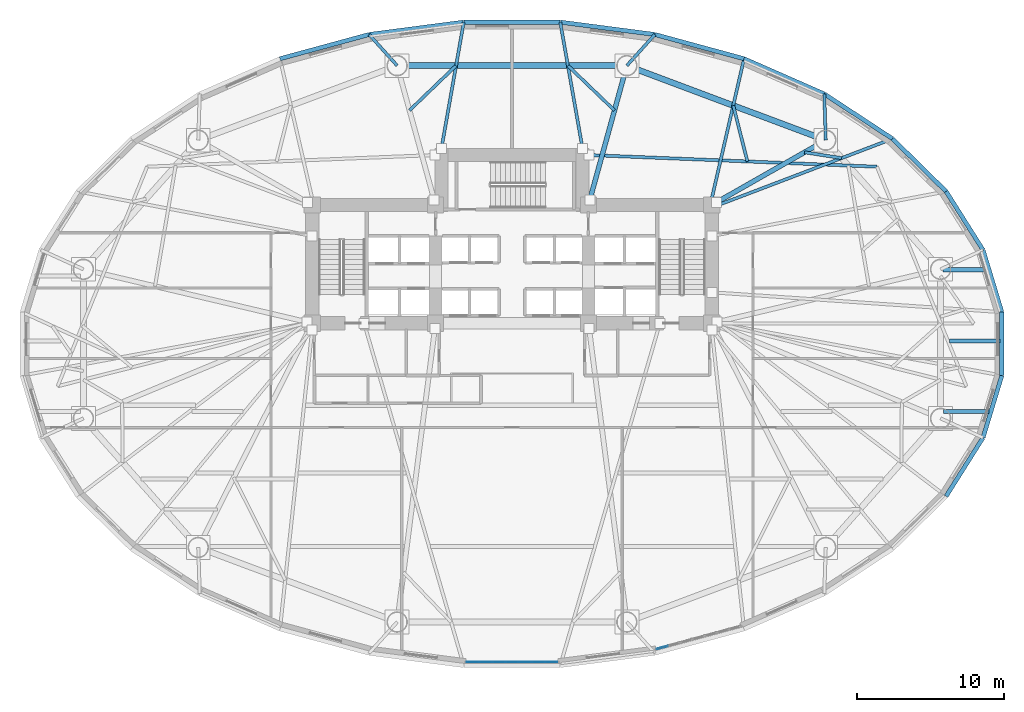
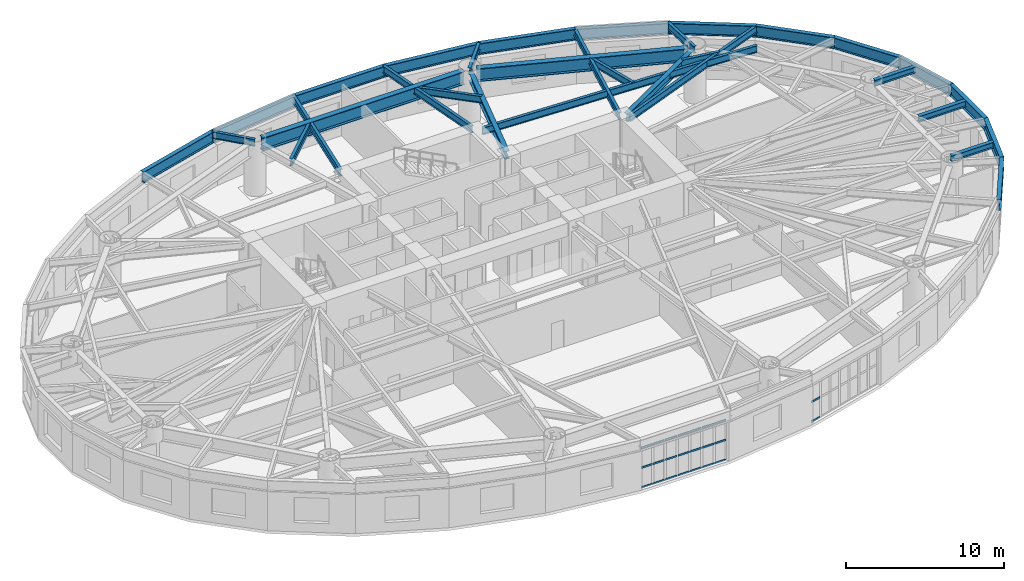
# One storey, part 6 of 18: 32 beams, 23 members, 2 elements without a shape of their own.
"""IFC4 building model written with IfcOpenShell, lengths in metres."""

from ifc_helpers import new_model, si_unit, direction, frame, origin, origin_2d, place, context, subcontext, project, spatial, rectangle, i_section, extrude, material, layer, layer_set, material_profile, profile_set, type_object, element, aggregate, save


model = new_model("IFC4")

# Units and contexts
model_context = context("Model", 3, precision=1e-05, world=origin(), true_north=direction((0.0, 1.0)))
body_context = subcontext(model_context, "Body", "Model", "MODEL_VIEW")
ifc_project = project(units=[si_unit("LENGTHUNIT", "METRE"), si_unit("AREAUNIT", "SQUARE_METRE"), si_unit("VOLUMEUNIT", "CUBIC_METRE"), si_unit("PLANEANGLEUNIT", "RADIAN"), si_unit("MASSUNIT", "GRAM", prefix="KILO")], contexts=[model_context])

# Site, building, storey
site_placement = place(None, origin())
site = spatial("IfcSite", under=ifc_project, at=site_placement, CompositionType="ELEMENT")
building_placement = place(site_placement, origin())
building = spatial("IfcBuilding", under=site, at=building_placement, Name="Keldmark Tower", CompositionType="ELEMENT")
storey_placement = place(building_placement, frame((0.0, 0.0, 6.0)))
storey = spatial("IfcBuildingStorey", under=building, at=storey_placement, Name="L01", CompositionType="ELEMENT", Elevation=6.0)

# Beams
ifc_material_1 = material(Name="Steel ASTM A992 Grade 50", Category="steel")
ifc_material_profile_1 = material_profile(ifc_material_1, i_section(OverallWidth=0.280029296875, OverallDepth=0.462890625, WebThickness=0.0107421875, FlangeThickness=0.017333984375, at=origin_2d()), Name="W18X76")
ifc_profile_set_1 = profile_set([ifc_material_profile_1], Name="Steel ASTM A992 Grade 50")
beam_type_1 = type_object("IfcBeamType", Name="Composite Floor Joist W18X76", PredefinedType="JOIST", material=ifc_profile_set_1)
beam_1_placement = place(storey_placement, frame((29.363037109375, -4.60009765625, 3.74853515625), z_axis=(1.0, 0.0, 0.0), x_axis=(0.0, 1.0, 0.0)))
element("IfcBeam", 1, at=beam_1_placement, inside=storey, type_object=beam_type_1, Name="L01 Composite Floor Joist J22", PredefinedType="JOIST", context=body_context, shape_type="SweptSolid", body=[
    extrude(i_section(OverallWidth=0.280029296875, OverallDepth=0.462890625, WebThickness=0.0107421875, FlangeThickness=0.017333984375, at=origin_2d()), origin(), (0.0, 0.0, 1.0), 3.092041015625),
])
beam_2_placement = place(storey_placement, frame((29.77001953125, 0.199951171875, 3.74853515625), z_axis=(1.0, 0.0, 0.0), x_axis=(0.0, 1.0, 0.0)))
element("IfcBeam", 2, at=beam_2_placement, inside=storey, type_object=beam_type_1, Name="L01 Composite Floor Joist J24", PredefinedType="JOIST", context=body_context, shape_type="SweptSolid", body=[
    extrude(i_section(OverallWidth=0.280029296875, OverallDepth=0.462890625, WebThickness=0.0107421875, FlangeThickness=0.017333984375, at=origin_2d()), origin(), (0.0, 0.0, 1.0), 3.431640625),
])
beam_3_placement = place(storey_placement, frame((29.337646484375, 5.0400390625, 3.74853515625), z_axis=(1.0, 0.0, 0.0), x_axis=(0.0, 1.0, 0.0)))
element("IfcBeam", 3, at=beam_3_placement, inside=storey, type_object=beam_type_1, Name="L01 Composite Floor Joist J26", PredefinedType="JOIST", context=body_context, shape_type="SweptSolid", body=[
    extrude(i_section(OverallWidth=0.280029296875, OverallDepth=0.462890625, WebThickness=0.0107421875, FlangeThickness=0.017333984375, at=origin_2d()), origin(), (0.0, 0.0, 1.0), 2.984375),
])

# Curtain wall, members
ifc_material_2 = material(Name="Unitized Thermally Broken Aluminum and Triple Low-E Glazing", Category="aluminium")
ifc_layer = layer(ifc_material_2, 0.219970703125)
ifc_layer_set = layer_set([ifc_layer], Name="Unitized Thermally Broken Aluminum and Triple Low-E Glazing")
curtain_wall_type = type_object("IfcCurtainWallType", Name="Podium Wintergarden Curtain Wall System", PredefinedType="NOTDEFINED", material=ifc_layer_set)
curtain_wall_1_placement = place(storey_placement, origin())
curtain_wall_1 = element("IfcCurtainWall", 4, at=curtain_wall_1_placement, inside=storey, type_object=curtain_wall_type, Name="L01 Podium Wintergarden Curtain Wall System CW-L01-24", PredefinedType="NOTDEFINED")
ifc_material_3 = material(Name="Extruded Aluminum Alloy 6063-T6", Category="aluminium")
ifc_material_profile_2 = material_profile(ifc_material_3, rectangle(XDim=0.06005859375, YDim=0.139892578125, at=origin_2d()), Name="CWT60X140")
ifc_profile_set_2 = profile_set([ifc_material_profile_2], Name="Extruded Aluminum Alloy 6063-T6")
member_type = type_object("IfcMemberType", Name="Curtain Wall Horizontal Transom 60x140", PredefinedType="USERDEFINED", material=ifc_profile_set_2)
member_1_placement = place(storey_placement, frame((3.08349609375, -21.654052734375, 0.030029296875), z_axis=(-1.0, 0.0, 0.0), x_axis=(0.0, -1.0, 0.0)))
member_1 = element("IfcMember", 5, at=member_1_placement, type_object=member_type, Name="CW transom 1.1", ObjectType="TRANSOM", PredefinedType="USERDEFINED", context=body_context, shape_type="SweptSolid", body=[
    extrude(rectangle(XDim=0.06005859375, YDim=0.139892578125, at=origin_2d()), origin(), (0.0, 0.0, 1.0), 0.80810546875),
])
member_2_placement = place(storey_placement, frame((3.08349609375, -21.654052734375, 1.554443359375), z_axis=(-1.0, 0.0, 0.0), x_axis=(0.0, -1.0, 0.0)))
member_2 = element("IfcMember", 6, at=member_2_placement, type_object=member_type, Name="CW transom 1.2", ObjectType="TRANSOM", PredefinedType="USERDEFINED", context=body_context, shape_type="SweptSolid", body=[
    extrude(rectangle(XDim=0.06005859375, YDim=0.139892578125, at=origin_2d()), origin(), (0.0, 0.0, 1.0), 0.80810546875),
])
member_3_placement = place(storey_placement, frame((3.08349609375, -21.654052734375, 3.0791015625), z_axis=(-1.0, 0.0, 0.0), x_axis=(0.0, -1.0, 0.0)))
member_3 = element("IfcMember", 7, at=member_3_placement, type_object=member_type, Name="CW transom 1.3", ObjectType="TRANSOM", PredefinedType="USERDEFINED", context=body_context, shape_type="SweptSolid", body=[
    extrude(rectangle(XDim=0.06005859375, YDim=0.139892578125, at=origin_2d()), origin(), (0.0, 0.0, 1.0), 0.80810546875),
])
member_4_placement = place(storey_placement, frame((2.21533203125, -21.654052734375, 0.030029296875), z_axis=(-1.0, 0.0, 0.0), x_axis=(0.0, -1.0, 0.0)))
member_4 = element("IfcMember", 8, at=member_4_placement, type_object=member_type, Name="CW transom 2.1", ObjectType="TRANSOM", PredefinedType="USERDEFINED", context=body_context, shape_type="SweptSolid", body=[
    extrude(rectangle(XDim=0.06005859375, YDim=0.139892578125, at=origin_2d()), origin(), (0.0, 0.0, 1.0), 0.838134765625),
])
member_5_placement = place(storey_placement, frame((2.21533203125, -21.654052734375, 1.554443359375), z_axis=(-1.0, 0.0, 0.0), x_axis=(0.0, -1.0, 0.0)))
member_5 = element("IfcMember", 9, at=member_5_placement, type_object=member_type, Name="CW transom 2.2", ObjectType="TRANSOM", PredefinedType="USERDEFINED", context=body_context, shape_type="SweptSolid", body=[
    extrude(rectangle(XDim=0.06005859375, YDim=0.139892578125, at=origin_2d()), origin(), (0.0, 0.0, 1.0), 0.838134765625),
])
member_6_placement = place(storey_placement, frame((2.21533203125, -21.654052734375, 3.0791015625), z_axis=(-1.0, 0.0, 0.0), x_axis=(0.0, -1.0, 0.0)))
member_6 = element("IfcMember", 10, at=member_6_placement, type_object=member_type, Name="CW transom 2.3", ObjectType="TRANSOM", PredefinedType="USERDEFINED", context=body_context, shape_type="SweptSolid", body=[
    extrude(rectangle(XDim=0.06005859375, YDim=0.139892578125, at=origin_2d()), origin(), (0.0, 0.0, 1.0), 0.838134765625),
])
member_7_placement = place(storey_placement, frame((1.317138671875, -21.654052734375, 0.030029296875), z_axis=(-1.0, 0.0, 0.0), x_axis=(0.0, -1.0, 0.0)))
member_7 = element("IfcMember", 11, at=member_7_placement, type_object=member_type, Name="CW transom 3.1", ObjectType="TRANSOM", PredefinedType="USERDEFINED", context=body_context, shape_type="SweptSolid", body=[
    extrude(rectangle(XDim=0.06005859375, YDim=0.139892578125, at=origin_2d()), origin(), (0.0, 0.0, 1.0), 0.838134765625),
])
member_8_placement = place(storey_placement, frame((1.317138671875, -21.654052734375, 1.554443359375), z_axis=(-1.0, 0.0, 0.0), x_axis=(0.0, -1.0, 0.0)))
member_8 = element("IfcMember", 12, at=member_8_placement, type_object=member_type, Name="CW transom 3.2", ObjectType="TRANSOM", PredefinedType="USERDEFINED", context=body_context, shape_type="SweptSolid", body=[
    extrude(rectangle(XDim=0.06005859375, YDim=0.139892578125, at=origin_2d()), origin(), (0.0, 0.0, 1.0), 0.838134765625),
])
member_9_placement = place(storey_placement, frame((1.317138671875, -21.654052734375, 3.0791015625), z_axis=(-1.0, 0.0, 0.0), x_axis=(0.0, -1.0, 0.0)))
member_9 = element("IfcMember", 13, at=member_9_placement, type_object=member_type, Name="CW transom 3.3", ObjectType="TRANSOM", PredefinedType="USERDEFINED", context=body_context, shape_type="SweptSolid", body=[
    extrude(rectangle(XDim=0.06005859375, YDim=0.139892578125, at=origin_2d()), origin(), (0.0, 0.0, 1.0), 0.838134765625),
])
member_10_placement = place(storey_placement, frame((0.419189453125, -21.654052734375, 0.030029296875), z_axis=(-1.0, 0.0, 0.0), x_axis=(0.0, -1.0, 0.0)))
member_10 = element("IfcMember", 14, at=member_10_placement, type_object=member_type, Name="CW transom 4.1", ObjectType="TRANSOM", PredefinedType="USERDEFINED", context=body_context, shape_type="SweptSolid", body=[
    extrude(rectangle(XDim=0.06005859375, YDim=0.139892578125, at=origin_2d()), origin(), (0.0, 0.0, 1.0), 0.83837890625),
])
member_11_placement = place(storey_placement, frame((0.419189453125, -21.654052734375, 1.554443359375), z_axis=(-1.0, 0.0, 0.0), x_axis=(0.0, -1.0, 0.0)))
member_11 = element("IfcMember", 15, at=member_11_placement, type_object=member_type, Name="CW transom 4.2", ObjectType="TRANSOM", PredefinedType="USERDEFINED", context=body_context, shape_type="SweptSolid", body=[
    extrude(rectangle(XDim=0.06005859375, YDim=0.139892578125, at=origin_2d()), origin(), (0.0, 0.0, 1.0), 0.83837890625),
])
member_12_placement = place(storey_placement, frame((0.419189453125, -21.654052734375, 3.0791015625), z_axis=(-1.0, 0.0, 0.0), x_axis=(0.0, -1.0, 0.0)))
member_12 = element("IfcMember", 16, at=member_12_placement, type_object=member_type, Name="CW transom 4.3", ObjectType="TRANSOM", PredefinedType="USERDEFINED", context=body_context, shape_type="SweptSolid", body=[
    extrude(rectangle(XDim=0.06005859375, YDim=0.139892578125, at=origin_2d()), origin(), (0.0, 0.0, 1.0), 0.83837890625),
])
member_13_placement = place(storey_placement, frame((-0.47900390625, -21.654052734375, 0.030029296875), z_axis=(-1.0, 0.0, 0.0), x_axis=(0.0, -1.0, 0.0)))
member_13 = element("IfcMember", 17, at=member_13_placement, type_object=member_type, Name="CW transom 5.1", ObjectType="TRANSOM", PredefinedType="USERDEFINED", context=body_context, shape_type="SweptSolid", body=[
    extrude(rectangle(XDim=0.06005859375, YDim=0.139892578125, at=origin_2d()), origin(), (0.0, 0.0, 1.0), 0.838134765625),
])
member_14_placement = place(storey_placement, frame((-0.47900390625, -21.654052734375, 1.554443359375), z_axis=(-1.0, 0.0, 0.0), x_axis=(0.0, -1.0, 0.0)))
member_14 = element("IfcMember", 18, at=member_14_placement, type_object=member_type, Name="CW transom 5.2", ObjectType="TRANSOM", PredefinedType="USERDEFINED", context=body_context, shape_type="SweptSolid", body=[
    extrude(rectangle(XDim=0.06005859375, YDim=0.139892578125, at=origin_2d()), origin(), (0.0, 0.0, 1.0), 0.838134765625),
])
member_15_placement = place(storey_placement, frame((-0.47900390625, -21.654052734375, 3.0791015625), z_axis=(-1.0, 0.0, 0.0), x_axis=(0.0, -1.0, 0.0)))
member_15 = element("IfcMember", 19, at=member_15_placement, type_object=member_type, Name="CW transom 5.3", ObjectType="TRANSOM", PredefinedType="USERDEFINED", context=body_context, shape_type="SweptSolid", body=[
    extrude(rectangle(XDim=0.06005859375, YDim=0.139892578125, at=origin_2d()), origin(), (0.0, 0.0, 1.0), 0.838134765625),
])
member_16_placement = place(storey_placement, frame((-1.377197265625, -21.654052734375, 0.030029296875), z_axis=(-1.0, 0.0, 0.0), x_axis=(0.0, -1.0, 0.0)))
member_16 = element("IfcMember", 20, at=member_16_placement, type_object=member_type, Name="CW transom 6.1", ObjectType="TRANSOM", PredefinedType="USERDEFINED", context=body_context, shape_type="SweptSolid", body=[
    extrude(rectangle(XDim=0.06005859375, YDim=0.139892578125, at=origin_2d()), origin(), (0.0, 0.0, 1.0), 0.838134765625),
])
member_17_placement = place(storey_placement, frame((-1.377197265625, -21.654052734375, 1.554443359375), z_axis=(-1.0, 0.0, 0.0), x_axis=(0.0, -1.0, 0.0)))
member_17 = element("IfcMember", 21, at=member_17_placement, type_object=member_type, Name="CW transom 6.2", ObjectType="TRANSOM", PredefinedType="USERDEFINED", context=body_context, shape_type="SweptSolid", body=[
    extrude(rectangle(XDim=0.06005859375, YDim=0.139892578125, at=origin_2d()), origin(), (0.0, 0.0, 1.0), 0.838134765625),
])
member_18_placement = place(storey_placement, frame((-1.377197265625, -21.654052734375, 3.0791015625), z_axis=(-1.0, 0.0, 0.0), x_axis=(0.0, -1.0, 0.0)))
member_18 = element("IfcMember", 22, at=member_18_placement, type_object=member_type, Name="CW transom 6.3", ObjectType="TRANSOM", PredefinedType="USERDEFINED", context=body_context, shape_type="SweptSolid", body=[
    extrude(rectangle(XDim=0.06005859375, YDim=0.139892578125, at=origin_2d()), origin(), (0.0, 0.0, 1.0), 0.838134765625),
])
member_19_placement = place(storey_placement, frame((-2.275390625, -21.654052734375, 0.030029296875), z_axis=(-1.0, 0.0, 0.0), x_axis=(0.0, -1.0, 0.0)))
member_19 = element("IfcMember", 23, at=member_19_placement, type_object=member_type, Name="CW transom 7.1", ObjectType="TRANSOM", PredefinedType="USERDEFINED", context=body_context, shape_type="SweptSolid", body=[
    extrude(rectangle(XDim=0.06005859375, YDim=0.139892578125, at=origin_2d()), origin(), (0.0, 0.0, 1.0), 0.80810546875),
])
member_20_placement = place(storey_placement, frame((-2.275390625, -21.654052734375, 1.554443359375), z_axis=(-1.0, 0.0, 0.0), x_axis=(0.0, -1.0, 0.0)))
member_20 = element("IfcMember", 24, at=member_20_placement, type_object=member_type, Name="CW transom 7.2", ObjectType="TRANSOM", PredefinedType="USERDEFINED", context=body_context, shape_type="SweptSolid", body=[
    extrude(rectangle(XDim=0.06005859375, YDim=0.139892578125, at=origin_2d()), origin(), (0.0, 0.0, 1.0), 0.80810546875),
])
member_21_placement = place(storey_placement, frame((-2.275390625, -21.654052734375, 3.0791015625), z_axis=(-1.0, 0.0, 0.0), x_axis=(0.0, -1.0, 0.0)))
member_21 = element("IfcMember", 25, at=member_21_placement, type_object=member_type, Name="CW transom 7.3", ObjectType="TRANSOM", PredefinedType="USERDEFINED", context=body_context, shape_type="SweptSolid", body=[
    extrude(rectangle(XDim=0.06005859375, YDim=0.139892578125, at=origin_2d()), origin(), (0.0, 0.0, 1.0), 0.80810546875),
])
aggregate(curtain_wall_1, [member_1, member_2, member_3, member_4, member_5, member_6, member_7, member_8, member_9, member_10, member_11, member_12, member_13, member_14, member_15, member_16, member_17, member_18, member_19, member_20, member_21])

curtain_wall_2_placement = place(storey_placement, origin())
curtain_wall_2 = element("IfcCurtainWall", 26, at=curtain_wall_2_placement, inside=storey, type_object=curtain_wall_type, Name="L01 Podium Wintergarden Curtain Wall System CW-L01-26", PredefinedType="NOTDEFINED")
member_22_placement = place(storey_placement, frame((10.595703125, -20.56689453125, 0.030029296875), z_axis=(-0.964924998517, -0.262525707765, 0.0), x_axis=(0.262525707765, -0.964924998517, 0.0)))
member_22 = element("IfcMember", 27, at=member_22_placement, type_object=member_type, Name="CW transom 7.1", ObjectType="TRANSOM", PredefinedType="USERDEFINED", context=body_context, shape_type="SweptSolid", body=[
    extrude(rectangle(XDim=0.06005859375, YDim=0.139892578125, at=origin_2d()), origin(), (0.0, 0.0, 1.0), 0.76806640625),
])
member_23_placement = place(storey_placement, frame((10.595703125, -20.56689453125, 1.554443359375), z_axis=(-0.964924998517, -0.262525707765, 0.0), x_axis=(0.262525707765, -0.964924998517, 0.0)))
member_23 = element("IfcMember", 28, at=member_23_placement, type_object=member_type, Name="CW transom 7.2", ObjectType="TRANSOM", PredefinedType="USERDEFINED", context=body_context, shape_type="SweptSolid", body=[
    extrude(rectangle(XDim=0.06005859375, YDim=0.139892578125, at=origin_2d()), origin(), (0.0, 0.0, 1.0), 0.76806640625),
])
aggregate(curtain_wall_2, [member_22, member_23])

# Beams
ifc_material_4 = material(Name="Steel ASTM A992 Grade 50", Category="steel")
ifc_material_profile_3 = material_profile(ifc_material_4, i_section(OverallWidth=0.402099609375, OverallDepth=1.011962890625, WebThickness=0.023681640625, FlangeThickness=0.0419921875, at=origin_2d()), Name="W40X297")
ifc_profile_set_3 = profile_set([ifc_material_profile_3], Name="Steel ASTM A992 Grade 50")
beam_type_2 = type_object("IfcBeamType", Name="Podium Primary Girder W40X297", PredefinedType="BEAM", material=ifc_profile_set_3)
beam_4_placement = place(storey_placement, frame((20.93310546875, 14.01708984375, 3.47412109375), z_axis=(-0.936417954382, 0.350886612329, 0.0), x_axis=(-0.350886612329, -0.936417954382, 0.0)))
element("IfcBeam", 29, at=beam_4_placement, inside=storey, type_object=beam_type_2, Name="L01 Podium Ring Girder PG-R02", PredefinedType="BEAM", context=body_context, shape_type="SweptSolid", body=[
    extrude(i_section(OverallWidth=0.402099609375, OverallDepth=1.011962890625, WebThickness=0.023681640625, FlangeThickness=0.0419921875, at=origin_2d()), origin(), (0.0, 0.0, 1.0), 13.557373046875),
])
beam_5_placement = place(storey_placement, frame((7.3662109375, 18.93212890625, 3.47412109375), z_axis=(-1.0, 0.0, 0.0), x_axis=(0.0, -1.0, 0.0)))
element("IfcBeam", 30, at=beam_5_placement, inside=storey, type_object=beam_type_2, Name="L01 Podium Ring Girder PG-R03", PredefinedType="BEAM", context=body_context, shape_type="SweptSolid", body=[
    extrude(i_section(OverallWidth=0.402099609375, OverallDepth=1.011962890625, WebThickness=0.023681640625, FlangeThickness=0.0419921875, at=origin_2d()), origin(), (0.0, 0.0, 1.0), 14.732421875),
])
ifc_material_5 = material(Name="Steel ASTM A992 Grade 50", Category="steel")
ifc_material_profile_4 = material_profile(ifc_material_5, i_section(OverallWidth=0.2099609375, OverallDepth=0.537109375, WebThickness=0.010986328125, FlangeThickness=0.017333984375, at=origin_2d()), Name="W21X68")
ifc_profile_set_4 = profile_set([ifc_material_profile_4], Name="Steel ASTM A992 Grade 50")
beam_type_3 = type_object("IfcBeamType", Name="Radial Tie Girder W21X68", PredefinedType="BEAM", material=ifc_profile_set_4)
beam_6_placement = place(storey_placement, frame((5.25, 12.85009765625, 3.71142578125), z_axis=(0.999176318744, -0.040579355112, 0.0), x_axis=(0.040579355112, 0.999176318744, 0.0)))
element("IfcBeam", 31, at=beam_6_placement, inside=storey, type_object=beam_type_3, Name="L01 Sub-Ring Step Girder STP1-M01", PredefinedType="BEAM", context=body_context, shape_type="SweptSolid", body=[
    extrude(i_section(OverallWidth=0.2099609375, OverallDepth=0.537109375, WebThickness=0.010986328125, FlangeThickness=0.017333984375, at=origin_2d()), origin(), (0.0, 0.0, 1.0), 19.601318359375),
])
beam_7_placement = place(storey_placement, frame((19.904541015625, 13.034912109375, 3.71142578125), z_axis=(0.988136063904, -0.153580985843, 0.0), x_axis=(0.153580985843, 0.988136063904, 0.0)))
element("IfcBeam", 32, at=beam_7_placement, inside=storey, type_object=beam_type_3, Name="L01 Framing Pin Header PH-010", PredefinedType="BEAM", context=body_context, shape_type="SweptSolid", body=[
    extrude(i_section(OverallWidth=0.2099609375, OverallDepth=0.537109375, WebThickness=0.010986328125, FlangeThickness=0.017333984375, at=origin_2d()), origin(), (0.0, 0.0, 1.0), 2.564208984375),
])
beam_8_placement = place(storey_placement, frame((14.050048828125, 9.449951171875, 3.71142578125), z_axis=(0.934642662924, 0.355588375293, 0.0), x_axis=(-0.355588375293, 0.934642662924, 0.0)))
element("IfcBeam", 33, at=beam_8_placement, inside=storey, type_object=beam_type_3, Name="L01 Perimeter Radial Tie Girder RT-04", PredefinedType="BEAM", context=body_context, shape_type="SweptSolid", body=[
    extrude(i_section(OverallWidth=0.2099609375, OverallDepth=0.537109375, WebThickness=0.010986328125, FlangeThickness=0.017333984375, at=origin_2d()), origin(), (0.0, 0.0, 1.0), 12.67431640625),
])
beam_9_placement = place(storey_placement, frame((21.3544921875, 13.859375, 3.71142578125), z_axis=(-0.032491176768, 0.999472022336, 0.0), x_axis=(-0.999472022336, -0.032491176768, 0.0)))
element("IfcBeam", 34, at=beam_9_placement, inside=storey, type_object=beam_type_3, Name="L01 Perimeter Column Bracket RT-05", PredefinedType="BEAM", context=body_context, shape_type="SweptSolid", body=[
    extrude(i_section(OverallWidth=0.2099609375, OverallDepth=0.537109375, WebThickness=0.010986328125, FlangeThickness=0.017333984375, at=origin_2d()), origin(), (0.0, 0.0, 1.0), 3.1484375),
])
beam_10_placement = place(storey_placement, frame((16.02197265625, 12.41259765625, 3.71142578125), z_axis=(-0.245606779521, 0.969369542462, 0.0), x_axis=(-0.969369542462, -0.245606779521, 0.0)))
element("IfcBeam", 35, at=beam_10_placement, inside=storey, type_object=beam_type_3, Name="L01 Framing Pin Header PH-011", PredefinedType="BEAM", context=body_context, shape_type="SweptSolid", body=[
    extrude(i_section(OverallWidth=0.2099609375, OverallDepth=0.537109375, WebThickness=0.010986328125, FlangeThickness=0.017333984375, at=origin_2d()), origin(), (0.0, 0.0, 1.0), 3.926513671875),
])
beam_11_placement = place(storey_placement, frame((13.60009765625, 9.89990234375, 3.71142578125), z_axis=(0.224740658325, 0.974418614608, 0.0), x_axis=(-0.974418614608, 0.224740658325, 0.0)))
element("IfcBeam", 36, at=beam_11_placement, inside=storey, type_object=beam_type_3, Name="L01 Perimeter Radial Tie Girder RT-06", PredefinedType="BEAM", context=body_context, shape_type="SweptSolid", body=[
    extrude(i_section(OverallWidth=0.2099609375, OverallDepth=0.537109375, WebThickness=0.010986328125, FlangeThickness=0.017333984375, at=origin_2d()), origin(), (0.0, 0.0, 1.0), 9.751953125),
])
beam_12_placement = place(storey_placement, frame((7.81640625, 18.93212890625, 3.71142578125), z_axis=(0.668898533975, 0.743353718795, 0.0), x_axis=(-0.743353718795, 0.668898533975, 0.0)))
element("IfcBeam", 37, at=beam_12_placement, inside=storey, type_object=beam_type_3, Name="L01 Perimeter Column Bracket RT-07", PredefinedType="BEAM", context=body_context, shape_type="SweptSolid", body=[
    extrude(i_section(OverallWidth=0.2099609375, OverallDepth=0.537109375, WebThickness=0.010986328125, FlangeThickness=0.017333984375, at=origin_2d()), origin(), (0.0, 0.0, 1.0), 2.852783203125),
])
beam_13_placement = place(storey_placement, frame((6.9755859375, 15.885009765625, 3.71142578125), z_axis=(-0.720880013375, 0.69305988653, 0.0), x_axis=(-0.69305988653, -0.720880013375, 0.0)))
element("IfcBeam", 38, at=beam_13_placement, inside=storey, type_object=beam_type_3, Name="L01 Framing Pin Header PH-012", PredefinedType="BEAM", context=body_context, shape_type="SweptSolid", body=[
    extrude(i_section(OverallWidth=0.2099609375, OverallDepth=0.537109375, WebThickness=0.010986328125, FlangeThickness=0.017333984375, at=origin_2d()), origin(), (0.0, 0.0, 1.0), 4.396728515625),
])
beam_14_placement = place(storey_placement, frame((4.800048828125, 13.300048828125, 3.71142578125), z_axis=(-0.173759798583, 0.984788064711, 0.0), x_axis=(-0.984788064711, -0.173759798583, 0.0)))
element("IfcBeam", 39, at=beam_14_placement, inside=storey, type_object=beam_type_3, Name="L01 Perimeter Radial Tie Girder RT-08", PredefinedType="BEAM", context=body_context, shape_type="SweptSolid", body=[
    extrude(i_section(OverallWidth=0.2099609375, OverallDepth=0.537109375, WebThickness=0.010986328125, FlangeThickness=0.017333984375, at=origin_2d()), origin(), (0.0, 0.0, 1.0), 8.726806640625),
])
beam_15_placement = place(storey_placement, frame((-6.9755859375, 15.885009765625, 3.71142578125), z_axis=(0.720880013375, 0.69305988653, 0.0), x_axis=(-0.69305988653, 0.720880013375, 0.0)))
element("IfcBeam", 40, at=beam_15_placement, inside=storey, type_object=beam_type_3, Name="L01 Framing Pin Header PH-013", PredefinedType="BEAM", context=body_context, shape_type="SweptSolid", body=[
    extrude(i_section(OverallWidth=0.2099609375, OverallDepth=0.537109375, WebThickness=0.010986328125, FlangeThickness=0.017333984375, at=origin_2d()), origin(), (0.0, 0.0, 1.0), 4.396728515625),
])
beam_16_placement = place(storey_placement, frame((-4.800048828125, 13.300048828125, 3.71142578125), z_axis=(0.173759798583, 0.984788064711, 0.0), x_axis=(-0.984788064711, 0.173759798583, 0.0)))
element("IfcBeam", 41, at=beam_16_placement, inside=storey, type_object=beam_type_3, Name="L01 Perimeter Radial Tie Girder RT-09", PredefinedType="BEAM", context=body_context, shape_type="SweptSolid", body=[
    extrude(i_section(OverallWidth=0.2099609375, OverallDepth=0.537109375, WebThickness=0.010986328125, FlangeThickness=0.017333984375, at=origin_2d()), origin(), (0.0, 0.0, 1.0), 8.726806640625),
])
beam_17_placement = place(storey_placement, frame((-7.81640625, 18.93212890625, 3.71142578125), z_axis=(-0.668898533975, 0.743353718795, 0.0), x_axis=(-0.743353718795, -0.668898533975, 0.0)))
element("IfcBeam", 42, at=beam_17_placement, inside=storey, type_object=beam_type_3, Name="L01 Perimeter Column Bracket RT-10", PredefinedType="BEAM", context=body_context, shape_type="SweptSolid", body=[
    extrude(i_section(OverallWidth=0.2099609375, OverallDepth=0.537109375, WebThickness=0.010986328125, FlangeThickness=0.017333984375, at=origin_2d()), origin(), (0.0, 0.0, 1.0), 2.852783203125),
])
ifc_material_6 = material(Name="Steel ASTM A992 Grade 50", Category="steel")
ifc_material_profile_5 = material_profile(ifc_material_6, i_section(OverallWidth=0.326904296875, OverallDepth=0.6220703125, WebThickness=0.015380859375, FlangeThickness=0.0244140625, at=origin_2d()), Name="W24X131")
ifc_profile_set_5 = profile_set([ifc_material_profile_5], Name="Steel ASTM A992 Grade 50")
beam_type_4 = type_object("IfcBeamType", Name="Spandrel Ring Beam W24X131", PredefinedType="SPANDREL", material=ifc_profile_set_5)
beam_18_placement = place(storey_placement, frame((20.96337890625, 13.636962890625, 3.6689453125), z_axis=(-0.869293918493, -0.494295542434, 0.0), x_axis=(0.494295542434, -0.869293918493, 0.0)))
element("IfcBeam", 43, at=beam_18_placement, inside=storey, type_object=beam_type_4, Name="L01 Podium Radial Girder PG-C02", PredefinedType="SPANDREL", context=body_context, shape_type="SweptSolid", body=[
    extrude(i_section(OverallWidth=0.326904296875, OverallDepth=0.6220703125, WebThickness=0.015380859375, FlangeThickness=0.0244140625, at=origin_2d()), origin(), (0.0, 0.0, 1.0), 8.120361328125),
])
beam_19_placement = place(storey_placement, frame((7.696533203125, 18.498291015625, 3.6689453125), z_axis=(-0.265960165124, -0.963984019871, 0.0), x_axis=(0.963984019871, -0.265960165124, 0.0)))
element("IfcBeam", 44, at=beam_19_placement, inside=storey, type_object=beam_type_4, Name="L01 Podium Radial Girder PG-C03", PredefinedType="SPANDREL", context=body_context, shape_type="SweptSolid", body=[
    extrude(i_section(OverallWidth=0.326904296875, OverallDepth=0.6220703125, WebThickness=0.015380859375, FlangeThickness=0.0244140625, at=origin_2d()), origin(), (0.0, 0.0, 1.0), 9.036376953125),
])
ifc_material_7 = material(Name="Steel ASTM A992 Grade 50", Category="steel")
ifc_material_profile_6 = material_profile(ifc_material_7, i_section(OverallWidth=0.2919921875, OverallDepth=0.85888671875, WebThickness=0.01708984375, FlangeThickness=0.031005859375, at=origin_2d()), Name="W33X169")
ifc_profile_set_6 = profile_set([ifc_material_profile_6], Name="Steel ASTM A992 Grade 50")
beam_type_5 = type_object("IfcBeamType", Name="Spandrel Ring Beam W33X169", PredefinedType="SPANDREL", material=ifc_profile_set_6)
beam_20_placement = place(storey_placement, frame((33.338623046875, 2.156494140625, 3.550537109375), z_axis=(-0.289855603468, 0.957070388811, 0.0), x_axis=(-0.957070388811, -0.289855603468, 0.0)))
element("IfcBeam", 45, at=beam_20_placement, inside=storey, type_object=beam_type_5, Name="L01 Perimeter Spandrel Ring Beam SRB-01", PredefinedType="SPANDREL", context=body_context, shape_type="SweptSolid", body=[
    extrude(i_section(OverallWidth=0.2919921875, OverallDepth=0.85888671875, WebThickness=0.01708984375, FlangeThickness=0.031005859375, at=origin_2d()), origin(), (0.0, 0.0, 1.0), 4.41943359375),
])
beam_21_placement = place(storey_placement, frame((32.0576171875, 6.38623046875, 3.550537109375), z_axis=(-0.53349762721, 0.845801561693, 0.0), x_axis=(-0.845801561693, -0.53349762721, 0.0)))
element("IfcBeam", 46, at=beam_21_placement, inside=storey, type_object=beam_type_5, Name="L01 Perimeter Spandrel Ring Beam SRB-02", PredefinedType="SPANDREL", context=body_context, shape_type="SweptSolid", body=[
    extrude(i_section(OverallWidth=0.2919921875, OverallDepth=0.85888671875, WebThickness=0.01708984375, FlangeThickness=0.031005859375, at=origin_2d()), origin(), (0.0, 0.0, 1.0), 4.710693359375),
])
beam_22_placement = place(storey_placement, frame((29.54443359375, 10.37060546875, 3.550537109375), z_axis=(-0.713165222071, 0.700995981464, 0.0), x_axis=(-0.700995981464, -0.713165222071, 0.0)))
element("IfcBeam", 47, at=beam_22_placement, inside=storey, type_object=beam_type_5, Name="L01 Perimeter Spandrel Ring Beam SRB-03", PredefinedType="SPANDREL", context=body_context, shape_type="SweptSolid", body=[
    extrude(i_section(OverallWidth=0.2919921875, OverallDepth=0.85888671875, WebThickness=0.01708984375, FlangeThickness=0.031005859375, at=origin_2d()), origin(), (0.0, 0.0, 1.0), 5.11572265625),
])
beam_23_placement = place(storey_placement, frame((25.89599609375, 13.956787109375, 3.550537109375), z_axis=(-0.835897322981, 0.548885840073, 0.0), x_axis=(-0.548885840073, -0.835897322981, 0.0)))
element("IfcBeam", 48, at=beam_23_placement, inside=storey, type_object=beam_type_5, Name="L01 Perimeter Spandrel Ring Beam SRB-04", PredefinedType="SPANDREL", context=body_context, shape_type="SweptSolid", body=[
    extrude(i_section(OverallWidth=0.2919921875, OverallDepth=0.85888671875, WebThickness=0.01708984375, FlangeThickness=0.031005859375, at=origin_2d()), origin(), (0.0, 0.0, 1.0), 5.555419921875),
])
beam_24_placement = place(storey_placement, frame((21.252197265625, 17.006103515625, 3.550537109375), z_axis=(-0.91570760638, 0.401845218484, 0.0), x_axis=(-0.401845218484, -0.91570760638, 0.0)))
element("IfcBeam", 49, at=beam_24_placement, inside=storey, type_object=beam_type_5, Name="L01 Perimeter Spandrel Ring Beam SRB-05", PredefinedType="SPANDREL", context=body_context, shape_type="SweptSolid", body=[
    extrude(i_section(OverallWidth=0.2919921875, OverallDepth=0.85888671875, WebThickness=0.01708984375, FlangeThickness=0.031005859375, at=origin_2d()), origin(), (0.0, 0.0, 1.0), 5.963134765625),
])
beam_25_placement = place(storey_placement, frame((15.791748046875, 19.40234375, 3.550537109375), z_axis=(-0.964936550718, 0.262483243445, 0.0), x_axis=(-0.262483243445, -0.964936550718, 0.0)))
element("IfcBeam", 50, at=beam_25_placement, inside=storey, type_object=beam_type_5, Name="L01 Perimeter Spandrel Ring Beam SRB-06", PredefinedType="SPANDREL", context=body_context, shape_type="SweptSolid", body=[
    extrude(i_section(OverallWidth=0.2919921875, OverallDepth=0.85888671875, WebThickness=0.01708984375, FlangeThickness=0.031005859375, at=origin_2d()), origin(), (0.0, 0.0, 1.0), 6.28759765625),
])
beam_26_placement = place(storey_placement, frame((9.724609375, 21.052734375, 3.550537109375), z_axis=(-0.991576921472, 0.129519144545, 0.0), x_axis=(-0.129519144545, -0.991576921472, 0.0)))
element("IfcBeam", 51, at=beam_26_placement, inside=storey, type_object=beam_type_5, Name="L01 Perimeter Spandrel Ring Beam SRB-07", PredefinedType="SPANDREL", context=body_context, shape_type="SweptSolid", body=[
    extrude(i_section(OverallWidth=0.2919921875, OverallDepth=0.85888671875, WebThickness=0.01708984375, FlangeThickness=0.031005859375, at=origin_2d()), origin(), (0.0, 0.0, 1.0), 6.49560546875),
])
beam_27_placement = place(storey_placement, frame((3.28369140625, 21.89404296875, 3.550537109375), z_axis=(-1.0, 0.0, 0.0), x_axis=(0.0, -1.0, 0.0)))
element("IfcBeam", 52, at=beam_27_placement, inside=storey, type_object=beam_type_5, Name="L01 Perimeter Spandrel Ring Beam SRB-08", PredefinedType="SPANDREL", context=body_context, shape_type="SweptSolid", body=[
    extrude(i_section(OverallWidth=0.2919921875, OverallDepth=0.85888671875, WebThickness=0.01708984375, FlangeThickness=0.031005859375, at=origin_2d()), origin(), (0.0, 0.0, 1.0), 6.5673828125),
])
beam_28_placement = place(storey_placement, frame((-3.28369140625, 21.89404296875, 3.550537109375), z_axis=(-0.991576921472, -0.129519144545, 0.0), x_axis=(0.129519144545, -0.991576921472, 0.0)))
element("IfcBeam", 53, at=beam_28_placement, inside=storey, type_object=beam_type_5, Name="L01 Perimeter Spandrel Ring Beam SRB-09", PredefinedType="SPANDREL", context=body_context, shape_type="SweptSolid", body=[
    extrude(i_section(OverallWidth=0.2919921875, OverallDepth=0.85888671875, WebThickness=0.01708984375, FlangeThickness=0.031005859375, at=origin_2d()), origin(), (0.0, 0.0, 1.0), 6.49560546875),
])
beam_29_placement = place(storey_placement, frame((-9.724609375, 21.052734375, 3.550537109375), z_axis=(-0.964936550718, -0.262483243445, 0.0), x_axis=(0.262483243445, -0.964936550718, 0.0)))
element("IfcBeam", 54, at=beam_29_placement, inside=storey, type_object=beam_type_5, Name="L01 Perimeter Spandrel Ring Beam SRB-10", PredefinedType="SPANDREL", context=body_context, shape_type="SweptSolid", body=[
    extrude(i_section(OverallWidth=0.2919921875, OverallDepth=0.85888671875, WebThickness=0.01708984375, FlangeThickness=0.031005859375, at=origin_2d()), origin(), (0.0, 0.0, 1.0), 6.28759765625),
])
beam_30_placement = place(storey_placement, frame((29.54443359375, -10.37060546875, 3.550537109375), z_axis=(0.53349762721, 0.845801561693, 0.0), x_axis=(-0.845801561693, 0.53349762721, 0.0)))
element("IfcBeam", 55, at=beam_30_placement, inside=storey, type_object=beam_type_5, Name="L01 Perimeter Spandrel Ring Beam SRB-30", PredefinedType="SPANDREL", context=body_context, shape_type="SweptSolid", body=[
    extrude(i_section(OverallWidth=0.2919921875, OverallDepth=0.85888671875, WebThickness=0.01708984375, FlangeThickness=0.031005859375, at=origin_2d()), origin(), (0.0, 0.0, 1.0), 4.710693359375),
])
beam_31_placement = place(storey_placement, frame((32.0576171875, -6.38623046875, 3.550537109375), z_axis=(0.289855603468, 0.957070388811, 0.0), x_axis=(-0.957070388811, 0.289855603468, 0.0)))
element("IfcBeam", 56, at=beam_31_placement, inside=storey, type_object=beam_type_5, Name="L01 Perimeter Spandrel Ring Beam SRB-31", PredefinedType="SPANDREL", context=body_context, shape_type="SweptSolid", body=[
    extrude(i_section(OverallWidth=0.2919921875, OverallDepth=0.85888671875, WebThickness=0.01708984375, FlangeThickness=0.031005859375, at=origin_2d()), origin(), (0.0, 0.0, 1.0), 4.41943359375),
])
beam_32_placement = place(storey_placement, frame((33.338623046875, -2.156494140625, 3.550537109375), z_axis=(0.0, 1.0, 0.0), x_axis=(-1.0, 0.0, 0.0)))
element("IfcBeam", 57, at=beam_32_placement, inside=storey, type_object=beam_type_5, Name="L01 Perimeter Spandrel Ring Beam SRB-32", PredefinedType="SPANDREL", context=body_context, shape_type="SweptSolid", body=[
    extrude(i_section(OverallWidth=0.2919921875, OverallDepth=0.85888671875, WebThickness=0.01708984375, FlangeThickness=0.031005859375, at=origin_2d()), origin(), (0.0, 0.0, 1.0), 4.31298828125),
])

save(model, "model.ifc")
